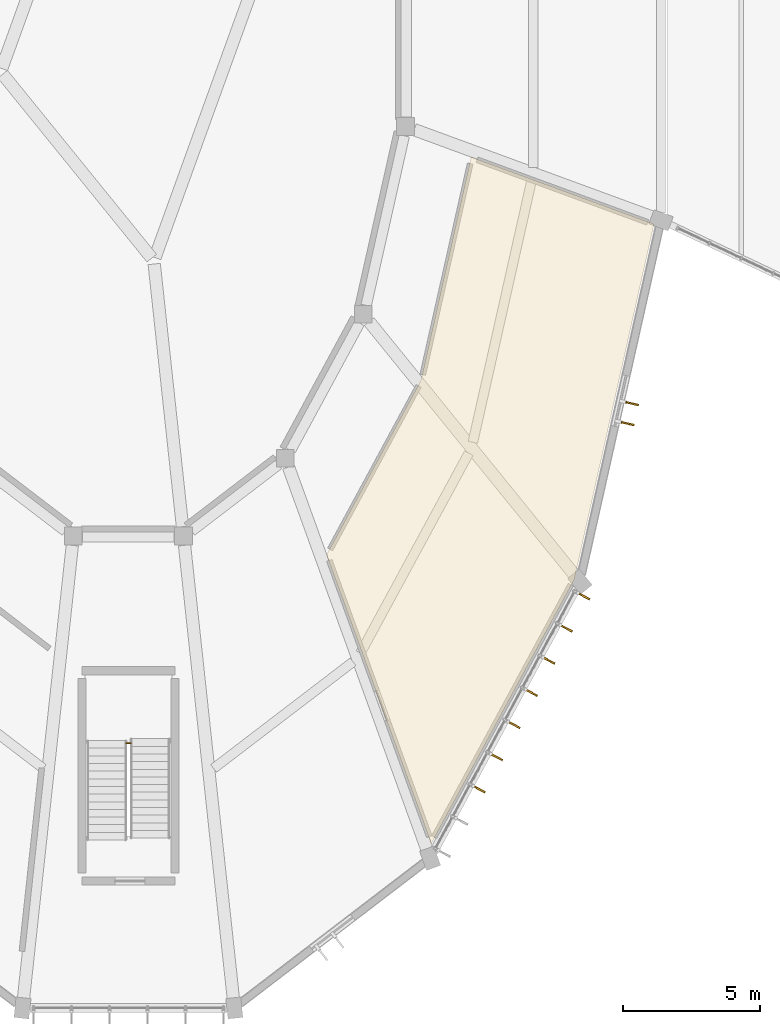
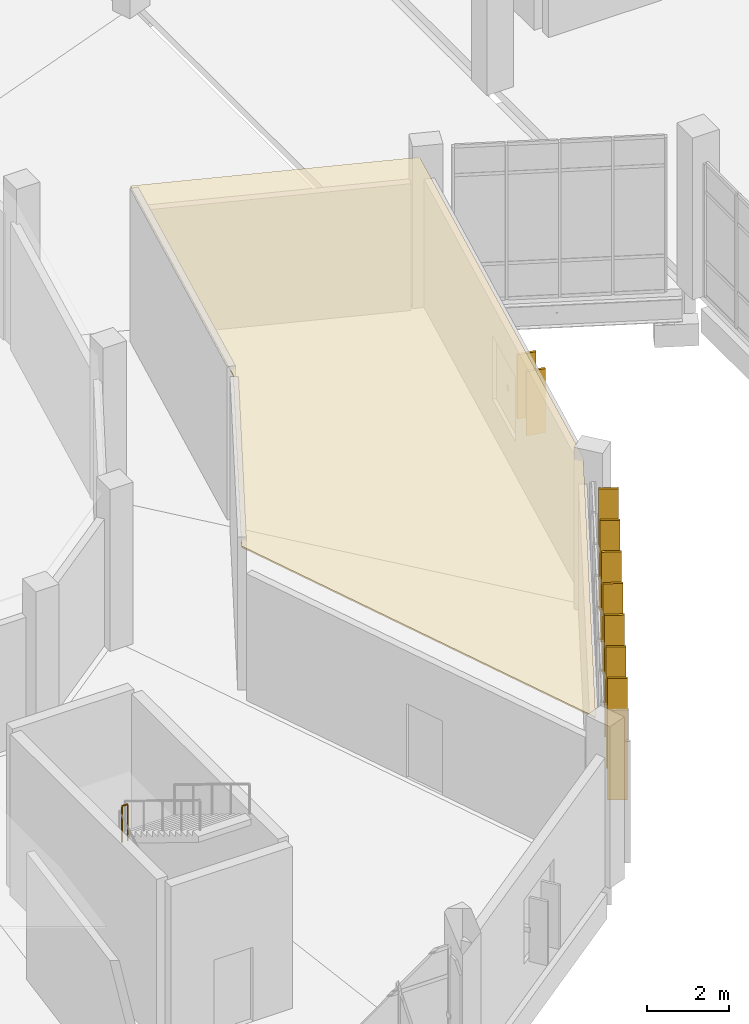
# One storey, part 167 of 179: 9 shading devices, 1 covering, 1 railing.
"""IFC4 building model written with IfcOpenShell, lengths in metres."""

import ifcopenshell
import ifcopenshell.guid

model = None  # the IFC model being written
_history = None  # IfcOwnerHistory: only IFC2X3 demands one
_inside = {}  # id of a spatial element -> (the spatial element, [elements in it])
_under = {}  # id of a project, library or spatial element -> (it, [spatial elements below it])
_declared = {}  # id of a project -> (the project, [libraries it declares])
_typed = {}  # id of a type object -> (the type object, [elements of that type])
_made_of = {}  # id of a material, layer set ... -> (it, [elements and type objects made of it])


def new_model(schema):
    """Start an empty IFC model of exactly this schema.

    Asked for "IFC4X3", IfcOpenShell would pick the latest addendum, in which some entities
    have other attributes; the version numbers below select the first issue.
    IFC2X3 requires an IfcOwnerHistory on every rooted entity: one is made here for all.
    """
    global model, _history
    if schema == "IFC4X3":
        model = ifcopenshell.file(schema_version=(4, 3, 0, 0))
    else:
        model = ifcopenshell.file(schema=schema)
    _inside.clear()
    _under.clear()
    _declared.clear()
    _typed.clear()
    _made_of.clear()
    _history = None
    if model.schema == "IFC2X3":
        org = make("IfcOrganization", Name="unknown")
        user = make(
            "IfcPersonAndOrganization",
            ThePerson=make("IfcPerson", FamilyName="unknown"),
            TheOrganization=org,
        )
        app = make(
            "IfcApplication",
            ApplicationDeveloper=org,
            Version="unknown",
            ApplicationFullName="unknown",
            ApplicationIdentifier="unknown",
        )
        _history = make(
            "IfcOwnerHistory",
            OwningUser=user,
            OwningApplication=app,
            ChangeAction="ADDED",
            CreationDate=0,
        )
    return model


def make(cls, **values):
    """One entity of the class cls with the attributes given. An attribute that is None is left unset."""
    return model.create_entity(
        cls, **{name: value for name, value in values.items() if value is not None}
    )


def rooted(cls, **values):
    """An entity with a GlobalId (a new one), such as an element, a storey or a relation."""
    return make(cls, GlobalId=ifcopenshell.guid.new(), OwnerHistory=_history, **values)


def si_unit(unit_type, name, prefix=None):
    """IfcSIUnit, for example si_unit("LENGTHUNIT", "METRE", prefix="MILLI")."""
    return make("IfcSIUnit", UnitType=unit_type, Prefix=prefix, Name=name)


def assignment(units):
    """IfcUnitAssignment: the units of a project."""
    return None if units is None else make("IfcUnitAssignment", Units=units)


def point(xyz):
    """IfcCartesianPoint."""
    return None if xyz is None else make("IfcCartesianPoint", Coordinates=xyz)


def direction(xyz):
    """IfcDirection."""
    return None if xyz is None else make("IfcDirection", DirectionRatios=xyz)


def frame(location, z_axis=None, x_axis=None):
    """IfcAxis2Placement3D, a coordinate frame: its origin and axes. An axis left out is left unset."""
    return make(
        "IfcAxis2Placement3D",
        Location=point(location),
        Axis=direction(z_axis),
        RefDirection=direction(x_axis),
    )


def frame_2d(location, x_axis=None):
    """IfcAxis2Placement2D, a coordinate frame in the plane: its origin and x axis."""
    return make(
        "IfcAxis2Placement2D", Location=point(location), RefDirection=direction(x_axis)
    )


def origin():
    """The frame at (0, 0, 0) with its axes left unset."""
    return frame((0.0, 0.0, 0.0))


def origin_2d():
    """The frame at (0, 0) in the plane with its x axis left unset."""
    return frame_2d((0.0, 0.0))


def place(relative_to, where):
    """IfcLocalPlacement: puts the frame where relative to a parent placement (None: the world)."""
    return make(
        "IfcLocalPlacement", PlacementRelTo=relative_to, RelativePlacement=where
    )


def context(
    kind, dimensions, precision=None, world=None, true_north=None, identifier=None
):
    """IfcGeometricRepresentationContext, for example the 3D "Model" context."""
    return make(
        "IfcGeometricRepresentationContext",
        ContextIdentifier=identifier,
        ContextType=kind,
        CoordinateSpaceDimension=dimensions,
        Precision=precision,
        WorldCoordinateSystem=world,
        TrueNorth=true_north,
    )


def subcontext(parent, identifier, kind, view, scale=None):
    """IfcGeometricRepresentationSubContext, for example "Body" below "Model"."""
    return make(
        "IfcGeometricRepresentationSubContext",
        ContextIdentifier=identifier,
        ContextType=kind,
        ParentContext=parent,
        TargetScale=scale,
        TargetView=view,
    )


def project(units=None, contexts=None):
    """IfcProject with its units and contexts."""
    return rooted(
        "IfcProject",
        Name="project",
        RepresentationContexts=contexts,
        UnitsInContext=assignment(units),
    )


def spatial(cls, under=None, at=None, **own):
    """A site, building, storey or space (cls), placed at a placement, below another one or the project."""
    s = rooted(cls, ObjectPlacement=at, **own)
    if under is not None:
        _under.setdefault(under.id(), (under, []))[1].append(s)
    return s


def polyline(points):
    """IfcPolyline through the points."""
    return make("IfcPolyline", Points=[point(p) for p in points])


def profile(cls, at=None, kind="AREA", **sizes):
    """A parametric profile (cls). Its sizes go by their IFC names, for example OverallWidth=200.0."""
    return make(cls, ProfileType=kind, Position=at, **sizes)


def rectangle(**sizes):
    """IfcRectangleProfileDef."""
    return profile("IfcRectangleProfileDef", **sizes)


def circle(**sizes):
    """IfcCircleProfileDef."""
    return profile("IfcCircleProfileDef", **sizes)


def outline(outer, holes=None, kind="AREA"):
    """IfcArbitraryClosedProfileDef: a profile drawn as a closed curve; with holes, ...WithVoids."""
    if holes is None:
        return make("IfcArbitraryClosedProfileDef", ProfileType=kind, OuterCurve=outer)
    return make(
        "IfcArbitraryProfileDefWithVoids",
        ProfileType=kind,
        OuterCurve=outer,
        InnerCurves=holes,
    )


def extrude(swept, where, along, depth):
    """IfcExtrudedAreaSolid: the profile swept, set in the frame where, extruded along a direction by depth."""
    return make(
        "IfcExtrudedAreaSolid",
        SweptArea=swept,
        Position=where,
        ExtrudedDirection=direction(along),
        Depth=depth,
    )


def shape(context_of_items, identifier, shape_type, items):
    """IfcShapeRepresentation: the items that make up one representation, for example the "Body"."""
    return make(
        "IfcShapeRepresentation",
        ContextOfItems=context_of_items,
        RepresentationIdentifier=identifier,
        RepresentationType=shape_type,
        Items=items,
    )


def material(Name=None, Category=None):
    """IfcMaterial."""
    return make("IfcMaterial", Name=Name, Category=Category)


def layer(
    of_material, thickness, ventilated=None, Name=None, Category=None, Priority=None
):
    """IfcMaterialLayer: one layer of a wall or slab, of a material (None: an air gap)."""
    return make(
        "IfcMaterialLayer",
        Material=of_material,
        LayerThickness=thickness,
        IsVentilated=ventilated,
        Name=Name,
        Category=Category,
        Priority=Priority,
    )


def layer_set(layers, Name=None):
    """IfcMaterialLayerSet."""
    return make("IfcMaterialLayerSet", MaterialLayers=layers, LayerSetName=Name)


def made_of(thing, what):
    """Note that an element or type object is made of a material, layer set ...; save() writes the relation."""
    if what is not None:
        _made_of.setdefault(what.id(), (what, []))[1].append(thing)
    return thing


def type_object(cls, material=None, **own):
    """A type object (cls), such as IfcWallType, which elements share."""
    return made_of(rooted(cls, **own), material)


def element(
    cls,
    number,
    at=None,
    inside=None,
    cuts=None,
    type_object=None,
    material=None,
    context=None,
    identifier="Body",
    shape_type=None,
    held_by="IfcProductDefinitionShape",
    body=None,
    shapes=None,
    **own,
):
    """One element of the class cls, such as IfcWall. Its Tag is "e" and its number.

    at: its placement. inside: the storey or other place that contains it. cuts: it is an
    opening in that element (IfcRelVoidsElement). A single representation is given by context,
    identifier, shape_type and body (its items); several are given by shapes. held_by: the class
    of the entity that holds the representations. save() writes the other relations.
    """
    e = rooted(cls, Tag="e%d" % number, ObjectPlacement=at, **own)
    if body is not None:
        shapes = [shape(context, identifier, shape_type, body)]
    if shapes is not None:
        e.Representation = make(held_by, Representations=shapes)
    if inside is not None:
        _inside.setdefault(inside.id(), (inside, []))[1].append(e)
    if cuts is not None:
        rooted(
            "IfcRelVoidsElement", RelatingBuildingElement=cuts, RelatedOpeningElement=e
        )
    if type_object is not None:
        _typed.setdefault(type_object.id(), (type_object, []))[1].append(e)
    return made_of(e, material)


def aggregate(whole, parts):
    """IfcRelAggregates: a whole, such as a stair, and the parts it consists of."""
    return rooted("IfcRelAggregates", RelatingObject=whole, RelatedObjects=parts)


def save(model, path):
    """Write the relations noted so far, then the file.

    IfcRelAggregates (storeys below a building ...), IfcRelContainedInSpatialStructure (elements
    in a storey), IfcRelDefinesByType, IfcRelAssociatesMaterial and IfcRelDeclares: one each for
    every whole, place, type object, material and project.
    """
    for whole, parts in _under.values():
        aggregate(whole, parts)
    for where, things in _inside.values():
        rooted(
            "IfcRelContainedInSpatialStructure",
            RelatedElements=things,
            RelatingStructure=where,
        )
    for kind, things in _typed.values():
        rooted("IfcRelDefinesByType", RelatedObjects=things, RelatingType=kind)
    for what, things in _made_of.values():
        rooted("IfcRelAssociatesMaterial", RelatedObjects=things, RelatingMaterial=what)
    for by, libraries in _declared.values():
        rooted("IfcRelDeclares", RelatingContext=by, RelatedDefinitions=libraries)
    model.write(path)


model = new_model("IFC4")

# Units and contexts
model_context = context("Model", 3, precision=1e-05, world=origin(), true_north=direction((0.0, 1.0)))
body_context = subcontext(model_context, "Body", "Model", "MODEL_VIEW")
ifc_project = project(units=[si_unit("LENGTHUNIT", "METRE"), si_unit("AREAUNIT", "SQUARE_METRE"), si_unit("VOLUMEUNIT", "CUBIC_METRE"), si_unit("PLANEANGLEUNIT", "RADIAN"), si_unit("MASSUNIT", "GRAM", prefix="KILO")], contexts=[model_context])

# Site, building, storey
site_placement = place(None, origin())
site = spatial("IfcSite", under=ifc_project, at=site_placement, CompositionType="ELEMENT")
building_placement = place(site_placement, origin())
building = spatial("IfcBuilding", under=site, at=building_placement, Name="Corvandel Quay Wholesale Market", CompositionType="ELEMENT")
storey_placement = place(building_placement, frame((0.0, 0.0, 6.0)))
storey = spatial("IfcBuildingStorey", under=building, at=storey_placement, Name="L01", CompositionType="ELEMENT", Elevation=6.0)

# Covering
ifc_material_1 = material(Name="Perforated powder-coated aluminium acoustic panel", Category="aluminium")
ifc_layer_1 = layer(ifc_material_1, 0.044921875)
ifc_layer_set_1 = layer_set([ifc_layer_1], Name="Perforated powder-coated aluminium acoustic panel")
covering_type = type_object("IfcCoveringType", Name="Perforated Acoustic Baffle Ceiling CLG01", PredefinedType="CEILING", material=ifc_layer_set_1)
covering_placement = place(storey_placement, frame((0.0, 0.0, 4.389892578125)))
element("IfcCovering", 1, at=covering_placement, inside=storey, type_object=covering_type, Name="Suspended Ceiling CLG-020", PredefinedType="CEILING", context=body_context, shape_type="SweptSolid", body=[
    extrude(outline(polyline([(201.760009765625, 40.590087890625), (201.759033203125, 40.592041015625), (201.759033203125, 40.593994140625), (201.759033203125, 40.595947265625), (201.759033203125, 40.596923828125), (201.759033203125, 40.59912109375), (201.760009765625, 40.60107421875), (201.760986328125, 40.60302734375), (201.760986328125, 40.60498046875), (205.208984375, 46.97705078125), (207.041015625, 55.135009765625), (207.0419921875, 55.136962890625), (207.04296875, 55.138916015625), (207.0439453125, 55.14111328125), (207.044921875, 55.14306640625), (207.0458984375, 55.14404296875), (207.047119140625, 55.14599609375), (207.049072265625, 55.14697265625), (207.051025390625, 55.14794921875), (207.052001953125, 55.14892578125), (207.053955078125, 55.14990234375), (207.055908203125, 55.14990234375), (207.05810546875, 55.15087890625), (207.06005859375, 55.15087890625), (207.06201171875, 55.15087890625), (207.06396484375, 55.15087890625), (207.06591796875, 55.14990234375), (207.068115234375, 55.14990234375), (213.72705078125, 52.705078125), (213.72900390625, 52.7041015625), (213.72998046875, 52.702880859375), (213.73193359375, 52.701904296875), (213.73291015625, 52.700927734375), (213.735107421875, 52.698974609375), (213.736083984375, 52.697998046875), (213.737060546875, 52.696044921875), (213.738037109375, 52.695068359375), (213.739013671875, 52.693115234375), (213.739013671875, 52.69091796875), (213.739990234375, 52.68896484375), (213.739990234375, 52.68701171875), (213.739990234375, 52.68505859375), (213.739990234375, 52.68408203125), (213.739990234375, 52.681884765625), (210.823974609375, 39.68896484375), (210.822998046875, 39.68701171875), (210.822021484375, 39.68505859375), (210.822021484375, 39.68310546875), (205.60791015625, 30.055908203125), (205.60693359375, 30.054931640625), (205.60498046875, 30.052978515625), (205.60400390625, 30.052001953125), (205.60205078125, 30.050048828125), (205.60107421875, 30.049072265625), (205.59912109375, 30.048095703125), (205.596923828125, 30.047119140625), (205.594970703125, 30.047119140625), (205.593017578125, 30.0458984375), (205.592041015625, 30.0458984375), (205.590087890625, 30.0458984375), (205.587890625, 30.0458984375), (205.5859375, 30.047119140625), (205.583984375, 30.047119140625), (205.58203125, 30.048095703125), (205.580078125, 30.049072265625), (205.577880859375, 30.050048828125), (205.576904296875, 30.051025390625), (205.574951171875, 30.052001953125), (205.573974609375, 30.053955078125), (205.572998046875, 30.055908203125), (205.572021484375, 30.056884765625), (205.571044921875, 30.05908203125), (201.760009765625, 40.587890625), (201.760009765625, 40.590087890625)])), origin(), (0.0, 0.0, 1.0), 0.045166015625),
])

# Railing
ifc_material_2 = material(Name="Painted galvanised tubular steel", Category="steel")
ifc_layer_2 = layer(ifc_material_2, 0.054931640625)
ifc_layer_set_2 = layer_set([ifc_layer_2], Name="Painted galvanised tubular steel")
railing_type = type_object("IfcRailingType", Name="Stairwell Inner Guard Railing GR02 1100mm", PredefinedType="GUARDRAIL", material=ifc_layer_set_2)
railing_placement = place(storey_placement, frame((194.419921875, 33.68994140625, 2.39990234375)))
element("IfcRailing", 2, at=railing_placement, inside=storey, type_object=railing_type, Name="Stair Landing Well Guard 0089", PredefinedType="GUARDRAIL", context=body_context, shape_type="SweptSolid", body=[
    extrude(circle(Radius=0.02392578125, at=origin_2d()), frame((0.0, 0.0, 1.076171875), z_axis=(1.0, 0.0, 0.0), x_axis=(0.0, 1.0, 0.0)), (0.0, 0.0, 1.0), 0.16015625),
    extrude(circle(Radius=0.02099609375, at=origin_2d()), origin(), (0.0, 0.0, 1.0), 1.052001953125),
    extrude(circle(Radius=0.02099609375, at=origin_2d()), frame((0.16015625, 0.0, 0.0)), (0.0, 0.0, 1.0), 1.052001953125),
])

# Shading devices
ifc_material_3 = material(Name="Bronze anodised extruded aluminium 6063-T6", Category="aluminium")
shading_device_type = type_object("IfcShadingDeviceType", Name="Vertical Anodised Bronze Solar Fin FN01 480mm", PredefinedType="JALOUSIE", material=ifc_material_3)
for number, where, z_axis, x_axis, name in (
    (3, (207.3466796875, 32.007568359375, 0.175048828125), (0.0, 0.0, 1.0), (-0.879316310191, 0.476238203668, 0.0), "Solar Fin 0495"),
    (4, (207.984619140625, 33.185546875, 0.175048828125), (0.0, 0.0, 1.0), (-0.879316310191, 0.476238203668, 0.0), "Solar Fin 0496"),
    (5, (208.62255859375, 34.363525390625, 0.175048828125), (0.0, 0.0, 1.0), (-0.879316310191, 0.476238203668, 0.0), "Solar Fin 0497"),
    (6, (209.260498046875, 35.54150390625, 0.175048828125), (0.0, 0.0, 1.0), (-0.879316310191, 0.476238203668, 0.0), "Solar Fin 0498"),
    (7, (209.898681640625, 36.719482421875, 0.175048828125), (0.0, 0.0, 1.0), (-0.879316310191, 0.476238203668, 0.0), "Solar Fin 0499"),
    (8, (210.53662109375, 37.8974609375, 0.175048828125), (0.0, 0.0, 1.0), (-0.879316310191, 0.476238203668, 0.0), "Solar Fin 0500"),
    (9, (211.174560546875, 39.0751953125, 0.175048828125), (0.0, 0.0, 1.0), (-0.879316310191, 0.476238203668, 0.0), "Solar Fin 0501"),
):
    element("IfcShadingDevice", number, at=place(storey_placement, frame(where, z_axis=z_axis, x_axis=x_axis)), inside=storey, type_object=shading_device_type, Name=name, PredefinedType="JALOUSIE", context=body_context, shape_type="SweptSolid", body=[
        extrude(rectangle(XDim=0.47998046875, YDim=0.06494140625, at=origin_2d()), origin(), (0.0, 0.0, 1.0), 3.60009765625),
    ])
for number, where, z_axis, x_axis, name in (
    (10, (212.780517578125, 45.3955078125, 1.0), (0.0, 0.0, 1.0), (-0.975726024471, 0.218994806262, 0.0), "Solar Fin 0514"),
    (11, (212.94482421875, 46.127197265625, 1.0), (0.0, 0.0, 1.0), (-0.975726024471, 0.218994806262, 0.0), "Solar Fin 0515"),
):
    element("IfcShadingDevice", number, at=place(storey_placement, frame(where, z_axis=z_axis, x_axis=x_axis)), inside=storey, type_object=shading_device_type, Name=name, PredefinedType="JALOUSIE", context=body_context, shape_type="SweptSolid", body=[
        extrude(rectangle(XDim=0.47998046875, YDim=0.06494140625, at=origin_2d()), origin(), (0.0, 0.0, 1.0), 1.89990234375),
    ])

save(model, "model.ifc")
